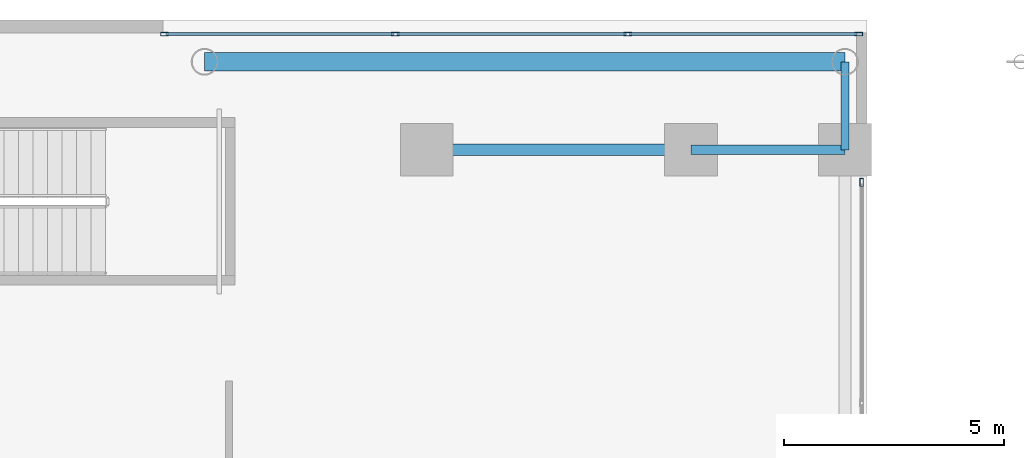
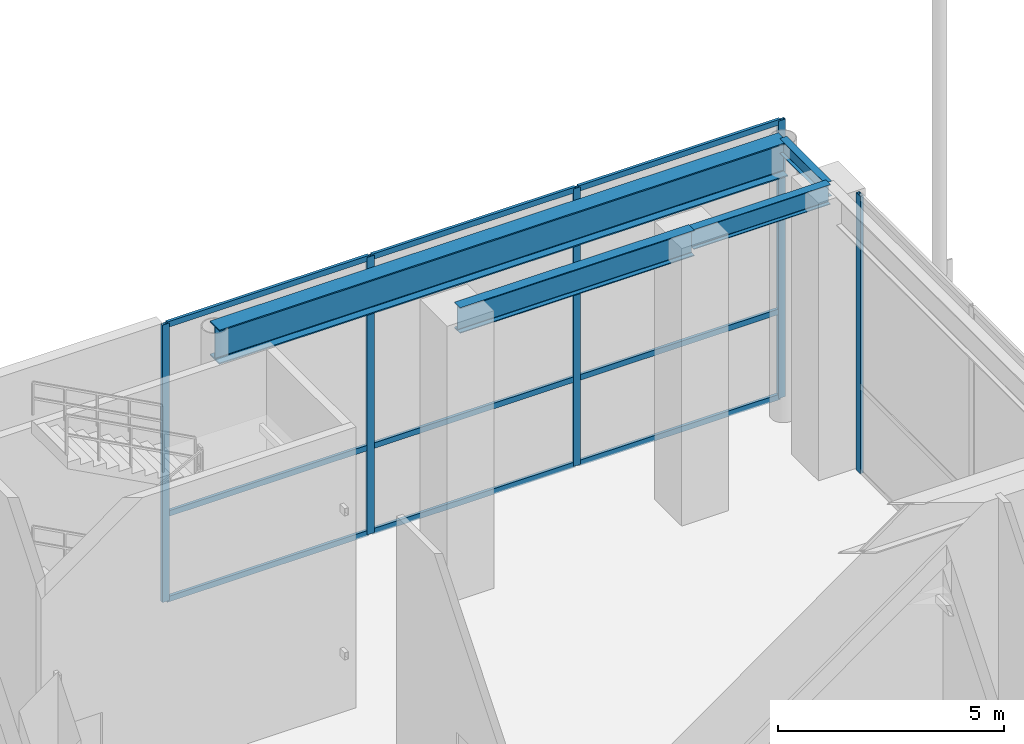
# One storey, part 13 of 29: 14 members, 4 beams, 2 elements without a shape of their own.
"""IFC4 building model written with IfcOpenShell, lengths in metres."""

import ifcopenshell
import ifcopenshell.guid

model = None  # the IFC model being written
_history = None  # IfcOwnerHistory: only IFC2X3 demands one
_inside = {}  # id of a spatial element -> (the spatial element, [elements in it])
_under = {}  # id of a project, library or spatial element -> (it, [spatial elements below it])
_declared = {}  # id of a project -> (the project, [libraries it declares])
_typed = {}  # id of a type object -> (the type object, [elements of that type])
_made_of = {}  # id of a material, layer set ... -> (it, [elements and type objects made of it])


def new_model(schema):
    """Start an empty IFC model of exactly this schema.

    Asked for "IFC4X3", IfcOpenShell would pick the latest addendum, in which some entities
    have other attributes; the version numbers below select the first issue.
    IFC2X3 requires an IfcOwnerHistory on every rooted entity: one is made here for all.
    """
    global model, _history
    if schema == "IFC4X3":
        model = ifcopenshell.file(schema_version=(4, 3, 0, 0))
    else:
        model = ifcopenshell.file(schema=schema)
    _inside.clear()
    _under.clear()
    _declared.clear()
    _typed.clear()
    _made_of.clear()
    _history = None
    if model.schema == "IFC2X3":
        org = make("IfcOrganization", Name="unknown")
        user = make(
            "IfcPersonAndOrganization",
            ThePerson=make("IfcPerson", FamilyName="unknown"),
            TheOrganization=org,
        )
        app = make(
            "IfcApplication",
            ApplicationDeveloper=org,
            Version="unknown",
            ApplicationFullName="unknown",
            ApplicationIdentifier="unknown",
        )
        _history = make(
            "IfcOwnerHistory",
            OwningUser=user,
            OwningApplication=app,
            ChangeAction="ADDED",
            CreationDate=0,
        )
    return model


def make(cls, **values):
    """One entity of the class cls with the attributes given. An attribute that is None is left unset."""
    return model.create_entity(
        cls, **{name: value for name, value in values.items() if value is not None}
    )


def rooted(cls, **values):
    """An entity with a GlobalId (a new one), such as an element, a storey or a relation."""
    return make(cls, GlobalId=ifcopenshell.guid.new(), OwnerHistory=_history, **values)


def si_unit(unit_type, name, prefix=None):
    """IfcSIUnit, for example si_unit("LENGTHUNIT", "METRE", prefix="MILLI")."""
    return make("IfcSIUnit", UnitType=unit_type, Prefix=prefix, Name=name)


def assignment(units):
    """IfcUnitAssignment: the units of a project."""
    return None if units is None else make("IfcUnitAssignment", Units=units)


def point(xyz):
    """IfcCartesianPoint."""
    return None if xyz is None else make("IfcCartesianPoint", Coordinates=xyz)


def direction(xyz):
    """IfcDirection."""
    return None if xyz is None else make("IfcDirection", DirectionRatios=xyz)


def frame(location, z_axis=None, x_axis=None):
    """IfcAxis2Placement3D, a coordinate frame: its origin and axes. An axis left out is left unset."""
    return make(
        "IfcAxis2Placement3D",
        Location=point(location),
        Axis=direction(z_axis),
        RefDirection=direction(x_axis),
    )


def frame_2d(location, x_axis=None):
    """IfcAxis2Placement2D, a coordinate frame in the plane: its origin and x axis."""
    return make(
        "IfcAxis2Placement2D", Location=point(location), RefDirection=direction(x_axis)
    )


def origin():
    """The frame at (0, 0, 0) with its axes left unset."""
    return frame((0.0, 0.0, 0.0))


def origin_2d():
    """The frame at (0, 0) in the plane with its x axis left unset."""
    return frame_2d((0.0, 0.0))


def place(relative_to, where):
    """IfcLocalPlacement: puts the frame where relative to a parent placement (None: the world)."""
    return make(
        "IfcLocalPlacement", PlacementRelTo=relative_to, RelativePlacement=where
    )


def context(
    kind, dimensions, precision=None, world=None, true_north=None, identifier=None
):
    """IfcGeometricRepresentationContext, for example the 3D "Model" context."""
    return make(
        "IfcGeometricRepresentationContext",
        ContextIdentifier=identifier,
        ContextType=kind,
        CoordinateSpaceDimension=dimensions,
        Precision=precision,
        WorldCoordinateSystem=world,
        TrueNorth=true_north,
    )


def subcontext(parent, identifier, kind, view, scale=None):
    """IfcGeometricRepresentationSubContext, for example "Body" below "Model"."""
    return make(
        "IfcGeometricRepresentationSubContext",
        ContextIdentifier=identifier,
        ContextType=kind,
        ParentContext=parent,
        TargetScale=scale,
        TargetView=view,
    )


def project(units=None, contexts=None):
    """IfcProject with its units and contexts."""
    return rooted(
        "IfcProject",
        Name="project",
        RepresentationContexts=contexts,
        UnitsInContext=assignment(units),
    )


def spatial(cls, under=None, at=None, **own):
    """A site, building, storey or space (cls), placed at a placement, below another one or the project."""
    s = rooted(cls, ObjectPlacement=at, **own)
    if under is not None:
        _under.setdefault(under.id(), (under, []))[1].append(s)
    return s


def profile(cls, at=None, kind="AREA", **sizes):
    """A parametric profile (cls). Its sizes go by their IFC names, for example OverallWidth=200.0."""
    return make(cls, ProfileType=kind, Position=at, **sizes)


def hollow_rectangle(**sizes):
    """IfcRectangleHollowProfileDef."""
    return profile("IfcRectangleHollowProfileDef", **sizes)


def i_section(**sizes):
    """IfcIShapeProfileDef."""
    return profile("IfcIShapeProfileDef", **sizes)


def extrude(swept, where, along, depth):
    """IfcExtrudedAreaSolid: the profile swept, set in the frame where, extruded along a direction by depth."""
    return make(
        "IfcExtrudedAreaSolid",
        SweptArea=swept,
        Position=where,
        ExtrudedDirection=direction(along),
        Depth=depth,
    )


def shape(context_of_items, identifier, shape_type, items):
    """IfcShapeRepresentation: the items that make up one representation, for example the "Body"."""
    return make(
        "IfcShapeRepresentation",
        ContextOfItems=context_of_items,
        RepresentationIdentifier=identifier,
        RepresentationType=shape_type,
        Items=items,
    )


def source(mapping_origin, context_of_items, identifier, shape_type, items):
    """IfcRepresentationMap: a shape defined once, which mapped items show again and again."""
    return make(
        "IfcRepresentationMap",
        MappingOrigin=mapping_origin,
        MappedRepresentation=shape(context_of_items, identifier, shape_type, items),
    )


def transform(
    local_origin,
    x_axis=None,
    y_axis=None,
    z_axis=None,
    scale=None,
    scale2=None,
    scale3=None,
    uniform=True,
):
    """IfcCartesianTransformationOperator3D, or its non-uniform kind. x_axis, y_axis, z_axis: its Axis1, 2, 3."""
    if uniform:
        return make(
            "IfcCartesianTransformationOperator3D",
            Axis1=direction(x_axis),
            Axis2=direction(y_axis),
            LocalOrigin=point(local_origin),
            Scale=scale,
            Axis3=direction(z_axis),
        )
    return make(
        "IfcCartesianTransformationOperator3DnonUniform",
        Axis1=direction(x_axis),
        Axis2=direction(y_axis),
        LocalOrigin=point(local_origin),
        Scale=scale,
        Axis3=direction(z_axis),
        Scale2=scale2,
        Scale3=scale3,
    )


def mapped(mapping_source, mapping_target):
    """IfcMappedItem: shows the shape of a source again, moved by a transform."""
    return make(
        "IfcMappedItem", MappingSource=mapping_source, MappingTarget=mapping_target
    )


def material(Name=None, Category=None):
    """IfcMaterial."""
    return make("IfcMaterial", Name=Name, Category=Category)


def layer(
    of_material, thickness, ventilated=None, Name=None, Category=None, Priority=None
):
    """IfcMaterialLayer: one layer of a wall or slab, of a material (None: an air gap)."""
    return make(
        "IfcMaterialLayer",
        Material=of_material,
        LayerThickness=thickness,
        IsVentilated=ventilated,
        Name=Name,
        Category=Category,
        Priority=Priority,
    )


def layer_set(layers, Name=None):
    """IfcMaterialLayerSet."""
    return make("IfcMaterialLayerSet", MaterialLayers=layers, LayerSetName=Name)


def material_profile(
    of_material, cross_section, Name=None, Category=None, Priority=None
):
    """IfcMaterialProfile: a cross section and its material."""
    return make(
        "IfcMaterialProfile",
        Name=Name,
        Material=of_material,
        Profile=cross_section,
        Priority=Priority,
        Category=Category,
    )


def profile_set(profiles, Name=None, composite=None):
    """IfcMaterialProfileSet."""
    return make(
        "IfcMaterialProfileSet",
        Name=Name,
        MaterialProfiles=profiles,
        CompositeProfile=composite,
    )


def made_of(thing, what):
    """Note that an element or type object is made of a material, layer set ...; save() writes the relation."""
    if what is not None:
        _made_of.setdefault(what.id(), (what, []))[1].append(thing)
    return thing


def type_object(cls, material=None, **own):
    """A type object (cls), such as IfcWallType, which elements share."""
    return made_of(rooted(cls, **own), material)


def element(
    cls,
    number,
    at=None,
    inside=None,
    cuts=None,
    type_object=None,
    material=None,
    context=None,
    identifier="Body",
    shape_type=None,
    held_by="IfcProductDefinitionShape",
    body=None,
    shapes=None,
    **own,
):
    """One element of the class cls, such as IfcWall. Its Tag is "e" and its number.

    at: its placement. inside: the storey or other place that contains it. cuts: it is an
    opening in that element (IfcRelVoidsElement). A single representation is given by context,
    identifier, shape_type and body (its items); several are given by shapes. held_by: the class
    of the entity that holds the representations. save() writes the other relations.
    """
    e = rooted(cls, Tag="e%d" % number, ObjectPlacement=at, **own)
    if body is not None:
        shapes = [shape(context, identifier, shape_type, body)]
    if shapes is not None:
        e.Representation = make(held_by, Representations=shapes)
    if inside is not None:
        _inside.setdefault(inside.id(), (inside, []))[1].append(e)
    if cuts is not None:
        rooted(
            "IfcRelVoidsElement", RelatingBuildingElement=cuts, RelatedOpeningElement=e
        )
    if type_object is not None:
        _typed.setdefault(type_object.id(), (type_object, []))[1].append(e)
    return made_of(e, material)


def aggregate(whole, parts):
    """IfcRelAggregates: a whole, such as a stair, and the parts it consists of."""
    return rooted("IfcRelAggregates", RelatingObject=whole, RelatedObjects=parts)


def save(model, path):
    """Write the relations noted so far, then the file.

    IfcRelAggregates (storeys below a building ...), IfcRelContainedInSpatialStructure (elements
    in a storey), IfcRelDefinesByType, IfcRelAssociatesMaterial and IfcRelDeclares: one each for
    every whole, place, type object, material and project.
    """
    for whole, parts in _under.values():
        aggregate(whole, parts)
    for where, things in _inside.values():
        rooted(
            "IfcRelContainedInSpatialStructure",
            RelatedElements=things,
            RelatingStructure=where,
        )
    for kind, things in _typed.values():
        rooted("IfcRelDefinesByType", RelatedObjects=things, RelatingType=kind)
    for what, things in _made_of.values():
        rooted("IfcRelAssociatesMaterial", RelatedObjects=things, RelatingMaterial=what)
    for by, libraries in _declared.values():
        rooted("IfcRelDeclares", RelatingContext=by, RelatedDefinitions=libraries)
    model.write(path)


model = new_model("IFC4")

# Units and contexts
model_context = context("Model", 3, precision=1e-05, world=origin(), true_north=direction((0.0, 1.0)))
body_context = subcontext(model_context, "Body", "Model", "MODEL_VIEW")
ifc_project = project(units=[si_unit("LENGTHUNIT", "METRE"), si_unit("AREAUNIT", "SQUARE_METRE"), si_unit("VOLUMEUNIT", "CUBIC_METRE"), si_unit("PLANEANGLEUNIT", "RADIAN"), si_unit("MASSUNIT", "GRAM", prefix="KILO")], contexts=[model_context])

# Site, building, storey
site_placement = place(None, origin())
site = spatial("IfcSite", under=ifc_project, at=site_placement, CompositionType="ELEMENT")
building_placement = place(site_placement, origin())
building = spatial("IfcBuilding", under=site, at=building_placement, Name="Ocotamira Hotel", CompositionType="ELEMENT")
storey_placement = place(building_placement, frame((0.0, 0.0, 11.39990234375)))
storey = spatial("IfcBuildingStorey", under=building, at=storey_placement, Name="L03", CompositionType="ELEMENT", Elevation=11.39990234375)

# Beams
ifc_material_1 = material(Name="Steel ASTM A992 Grade 50", Category="steel")
ifc_material_profile_1 = material_profile(ifc_material_1, i_section(OverallWidth=0.41796875, OverallDepth=0.927001953125, WebThickness=0.019287109375, FlangeThickness=0.031982421875, FilletRadius=0.02392578125, at=origin_2d()), Name="W36X231")
ifc_profile_set_1 = profile_set([ifc_material_profile_1], Name="Steel ASTM A992 Grade 50")
beam_type_1 = type_object("IfcBeamType", Name="BM-GIRD-W36X231", PredefinedType="BEAM", material=ifc_profile_set_1)
shared_shape_1 = source(origin(), body_context, "Body", "SweptSolid", [
    extrude(i_section(OverallWidth=0.41796875, OverallDepth=0.927001953125, WebThickness=0.019287109375, FlangeThickness=0.031982421875, FilletRadius=0.02392578125, at=origin_2d()), origin(), (0.0, 0.0, 1.0), 14.550048828125),
])
beam_1_placement = place(storey_placement, frame((8.949951171875, 51.050048828125, 7.046630859375), z_axis=(1.0, 0.0, 0.0), x_axis=(0.0, 1.0, 0.0)))
element("IfcBeam", 1, at=beam_1_placement, inside=storey, type_object=beam_type_1, Name="L03 Girder Y51.05 X8.95-23.5", PredefinedType="BEAM", context=body_context, shape_type="MappedRepresentation", body=[
    mapped(shared_shape_1, transform((0.0, 0.0, 0.0), scale=1.0)),
])
ifc_material_profile_2 = material_profile(ifc_material_1, i_section(OverallWidth=0.256103515625, OverallDepth=0.693115234375, WebThickness=0.014404296875, FlangeThickness=0.023681640625, FilletRadius=0.01611328125, at=origin_2d()), Name="W27X114")
ifc_profile_set_2 = profile_set([ifc_material_profile_2], Name="Steel ASTM A992 Grade 50")
beam_type_2 = type_object("IfcBeamType", Name="BM-PRIM-W27X114", PredefinedType="BEAM", material=ifc_profile_set_2)
shared_shape_2 = source(origin(), body_context, "Body", "SweptSolid", [
    extrude(i_section(OverallWidth=0.256103515625, OverallDepth=0.693115234375, WebThickness=0.014404296875, FlangeThickness=0.023681640625, FilletRadius=0.01611328125, at=origin_2d()), origin(), (0.0, 0.0, 1.0), 6.0),
])
beam_2_placement = place(storey_placement, frame((14.0, 49.050048828125, 7.16357421875), z_axis=(1.0, 0.0, 0.0), x_axis=(0.0, 1.0, 0.0)))
element("IfcBeam", 2, at=beam_2_placement, inside=storey, type_object=beam_type_2, Name="L03 Girder Y49.05 X14-20", PredefinedType="BEAM", context=body_context, shape_type="MappedRepresentation", body=[
    mapped(shared_shape_2, transform((0.0, 0.0, 0.0), scale=1.0)),
])
ifc_material_profile_3 = material_profile(ifc_material_1, i_section(OverallWidth=0.2099609375, OverallDepth=0.537109375, WebThickness=0.010986328125, FlangeThickness=0.017333984375, FilletRadius=0.012939453125, at=origin_2d()), Name="W21X68")
ifc_profile_set_3 = profile_set([ifc_material_profile_3], Name="Steel ASTM A992 Grade 50")
beam_type_3 = type_object("IfcBeamType", Name="BM-SEC-W21X68", PredefinedType="JOIST", material=ifc_profile_set_3)
shared_shape_3 = source(origin(), body_context, "Body", "SweptSolid", [
    extrude(i_section(OverallWidth=0.2099609375, OverallDepth=0.537109375, WebThickness=0.010986328125, FlangeThickness=0.017333984375, FilletRadius=0.012939453125, at=origin_2d()), origin(), (0.0, 0.0, 1.0), 3.5),
])
beam_3_placement = place(storey_placement, frame((20.0, 49.050048828125, 7.24169921875), z_axis=(1.0, 0.0, 0.0), x_axis=(0.0, 1.0, 0.0)))
element("IfcBeam", 3, at=beam_3_placement, inside=storey, type_object=beam_type_3, Name="L03 Girder Y49.05 X20-23.5", PredefinedType="JOIST", context=body_context, shape_type="MappedRepresentation", body=[
    mapped(shared_shape_3, transform((0.0, 0.0, 0.0), scale=1.0)),
])
ifc_material_profile_4 = material_profile(ifc_material_1, i_section(OverallWidth=0.177978515625, OverallDepth=0.403076171875, WebThickness=0.007568359375, FlangeThickness=0.010986328125, FilletRadius=0.010009765625, at=origin_2d()), Name="W16X36")
ifc_profile_set_4 = profile_set([ifc_material_profile_4], Name="Steel ASTM A992 Grade 50")
beam_type_4 = type_object("IfcBeamType", Name="BM-SEC-W16X36", PredefinedType="JOIST", material=ifc_profile_set_4)
shared_shape_4 = source(origin(), body_context, "Body", "SweptSolid", [
    extrude(i_section(OverallWidth=0.177978515625, OverallDepth=0.403076171875, WebThickness=0.007568359375, FlangeThickness=0.010986328125, FilletRadius=0.010009765625, at=origin_2d()), origin(), (0.0, 0.0, 1.0), 2.0),
])
beam_4_placement = place(storey_placement, frame((23.5, 49.050048828125, 7.30859375), z_axis=(0.0, 1.0, 0.0), x_axis=(-1.0, 0.0, 0.0)))
element("IfcBeam", 4, at=beam_4_placement, inside=storey, type_object=beam_type_4, Name="L03 Beam X23.5 Y49.05-51.05", PredefinedType="JOIST", context=body_context, shape_type="MappedRepresentation", body=[
    mapped(shared_shape_4, transform((0.0, 0.0, 0.0), scale=1.0)),
])

# Curtain wall, members
ifc_material_2 = material(Name="Anodised pale-metal aluminium and solar glass", Category="aluminium")
ifc_layer = layer(ifc_material_2, 0.219970703125)
ifc_layer_set = layer_set([ifc_layer], Name="Anodised pale-metal aluminium and solar glass")
curtain_wall_type = type_object("IfcCurtainWallType", Name="CW-SYS1-POD", PredefinedType="NOTDEFINED", material=ifc_layer_set)
curtain_wall_1_placement = place(storey_placement, origin())
curtain_wall_1 = element("IfcCurtainWall", 5, at=curtain_wall_1_placement, inside=storey, type_object=curtain_wall_type, Name="L03 Curtain Wall CW-1 CW-L03-NW", PredefinedType="NOTDEFINED")
ifc_material_3 = material(Name="Anodised pale-metal aluminium 6063-T6", Category="aluminium")
ifc_material_profile_5 = material_profile(ifc_material_3, hollow_rectangle(XDim=0.074951171875, YDim=0.14990234375, WallThickness=0.006103515625, at=origin_2d()), Name="HSS150X75X6")
ifc_profile_set_5 = profile_set([ifc_material_profile_5], Name="Anodised pale-metal aluminium 6063-T6")
member_type_1 = type_object("IfcMemberType", Name="CWT-150X75", PredefinedType="USERDEFINED", material=ifc_profile_set_5)
shared_shape_5 = source(origin(), body_context, "Body", "SweptSolid", [
    extrude(hollow_rectangle(XDim=0.074951171875, YDim=0.14990234375, WallThickness=0.006103515625, at=origin_2d()), origin(), (0.0, 0.0, 1.0), 5.163330078125),
])
member_1_placement = place(storey_placement, frame((8.080078125, 51.679931640625, 0.03759765625), z_axis=(1.0, 0.0, 0.0), x_axis=(0.0, 1.0, 0.0)))
member_1 = element("IfcMember", 6, at=member_1_placement, type_object=member_type_1, Name="CW-1 transom 1.1", ObjectType="TRANSOM", PredefinedType="USERDEFINED", context=body_context, shape_type="MappedRepresentation", body=[
    mapped(shared_shape_5, transform((0.0, 0.0, 0.0), scale=1.0)),
])
member_2_placement = place(storey_placement, frame((8.080078125, 51.679931640625, 2.35009765625), z_axis=(1.0, 0.0, 0.0), x_axis=(0.0, 1.0, 0.0)))
member_2 = element("IfcMember", 7, at=member_2_placement, type_object=member_type_1, Name="CW-1 transom 1.2", ObjectType="TRANSOM", PredefinedType="USERDEFINED", context=body_context, shape_type="MappedRepresentation", body=[
    mapped(shared_shape_5, transform((0.0, 0.0, 0.0), scale=1.0)),
])
member_3_placement = place(storey_placement, frame((8.080078125, 51.679931640625, 7.47265625), z_axis=(1.0, 0.0, 0.0), x_axis=(0.0, 1.0, 0.0)))
member_3 = element("IfcMember", 8, at=member_3_placement, type_object=member_type_1, Name="CW-1 transom 1.3", ObjectType="TRANSOM", PredefinedType="USERDEFINED", context=body_context, shape_type="MappedRepresentation", body=[
    mapped(shared_shape_5, transform((0.0, 0.0, 0.0), scale=1.0)),
])
member_4_placement = place(storey_placement, frame((18.606689453125, 51.679931640625, 0.03759765625), z_axis=(1.0, 0.0, 0.0), x_axis=(0.0, 1.0, 0.0)))
member_4 = element("IfcMember", 9, at=member_4_placement, type_object=member_type_1, Name="CW-1 transom 3.1", ObjectType="TRANSOM", PredefinedType="USERDEFINED", context=body_context, shape_type="MappedRepresentation", body=[
    mapped(shared_shape_5, transform((0.0, 0.0, 0.0), scale=1.0)),
])
member_5_placement = place(storey_placement, frame((18.606689453125, 51.679931640625, 2.35009765625), z_axis=(1.0, 0.0, 0.0), x_axis=(0.0, 1.0, 0.0)))
member_5 = element("IfcMember", 10, at=member_5_placement, type_object=member_type_1, Name="CW-1 transom 3.2", ObjectType="TRANSOM", PredefinedType="USERDEFINED", context=body_context, shape_type="MappedRepresentation", body=[
    mapped(shared_shape_5, transform((0.0, 0.0, 0.0), scale=1.0)),
])
member_6_placement = place(storey_placement, frame((18.606689453125, 51.679931640625, 7.47265625), z_axis=(1.0, 0.0, 0.0), x_axis=(0.0, 1.0, 0.0)))
member_6 = element("IfcMember", 11, at=member_6_placement, type_object=member_type_1, Name="CW-1 transom 3.3", ObjectType="TRANSOM", PredefinedType="USERDEFINED", context=body_context, shape_type="MappedRepresentation", body=[
    mapped(shared_shape_5, transform((0.0, 0.0, 0.0), scale=1.0)),
])
shared_shape_6 = source(origin(), body_context, "Body", "SweptSolid", [
    extrude(hollow_rectangle(XDim=0.074951171875, YDim=0.14990234375, WallThickness=0.006103515625, at=origin_2d()), origin(), (0.0, 0.0, 1.0), 5.203369140625),
])
member_7_placement = place(storey_placement, frame((13.3232421875, 51.679931640625, 0.03759765625), z_axis=(1.0, 0.0, 0.0), x_axis=(0.0, 1.0, 0.0)))
member_7 = element("IfcMember", 12, at=member_7_placement, type_object=member_type_1, Name="CW-1 transom 2.1", ObjectType="TRANSOM", PredefinedType="USERDEFINED", context=body_context, shape_type="MappedRepresentation", body=[
    mapped(shared_shape_6, transform((0.0, 0.0, 0.0), scale=1.0)),
])
member_8_placement = place(storey_placement, frame((13.3232421875, 51.679931640625, 2.35009765625), z_axis=(1.0, 0.0, 0.0), x_axis=(0.0, 1.0, 0.0)))
member_8 = element("IfcMember", 13, at=member_8_placement, type_object=member_type_1, Name="CW-1 transom 2.2", ObjectType="TRANSOM", PredefinedType="USERDEFINED", context=body_context, shape_type="MappedRepresentation", body=[
    mapped(shared_shape_6, transform((0.0, 0.0, 0.0), scale=1.0)),
])
member_9_placement = place(storey_placement, frame((13.3232421875, 51.679931640625, 7.47265625), z_axis=(1.0, 0.0, 0.0), x_axis=(0.0, 1.0, 0.0)))
member_9 = element("IfcMember", 14, at=member_9_placement, type_object=member_type_1, Name="CW-1 transom 2.3", ObjectType="TRANSOM", PredefinedType="USERDEFINED", context=body_context, shape_type="MappedRepresentation", body=[
    mapped(shared_shape_6, transform((0.0, 0.0, 0.0), scale=1.0)),
])
ifc_material_profile_6 = material_profile(ifc_material_3, hollow_rectangle(XDim=0.080078125, YDim=0.179931640625, WallThickness=0.006103515625, at=origin_2d()), Name="HSS180X80X6")
ifc_profile_set_6 = profile_set([ifc_material_profile_6], Name="Anodised pale-metal aluminium 6063-T6")
member_type_2 = type_object("IfcMemberType", Name="CWM-180X75", PredefinedType="MULLION", material=ifc_profile_set_6)
shared_shape_7 = source(origin(), body_context, "Body", "SweptSolid", [
    extrude(hollow_rectangle(XDim=0.080078125, YDim=0.179931640625, WallThickness=0.006103515625, at=origin_2d()), origin(), (0.0, 0.0, 1.0), 7.510009765625),
])
member_10_placement = place(storey_placement, frame((8.0400390625, 51.679931640625, 0.0), z_axis=(0.0, 0.0, 1.0), x_axis=(0.0, 1.0, 0.0)))
member_10 = element("IfcMember", 15, at=member_10_placement, type_object=member_type_2, Name="CW-1 mullion 1", PredefinedType="MULLION", context=body_context, shape_type="MappedRepresentation", body=[
    mapped(shared_shape_7, transform((0.0, 0.0, 0.0), scale=1.0)),
])
member_11_placement = place(storey_placement, frame((13.283447265625, 51.679931640625, 0.0), z_axis=(0.0, 0.0, 1.0), x_axis=(0.0, 1.0, 0.0)))
member_11 = element("IfcMember", 16, at=member_11_placement, type_object=member_type_2, Name="CW-1 mullion 2", PredefinedType="MULLION", context=body_context, shape_type="MappedRepresentation", body=[
    mapped(shared_shape_7, transform((0.0, 0.0, 0.0), scale=1.0)),
])
member_12_placement = place(storey_placement, frame((18.566650390625, 51.679931640625, 0.0), z_axis=(0.0, 0.0, 1.0), x_axis=(0.0, 1.0, 0.0)))
member_12 = element("IfcMember", 17, at=member_12_placement, type_object=member_type_2, Name="CW-1 mullion 3", PredefinedType="MULLION", context=body_context, shape_type="MappedRepresentation", body=[
    mapped(shared_shape_7, transform((0.0, 0.0, 0.0), scale=1.0)),
])
member_13_placement = place(storey_placement, frame((23.81005859375, 51.679931640625, 0.0), z_axis=(0.0, 0.0, 1.0), x_axis=(0.0, 1.0, 0.0)))
member_13 = element("IfcMember", 18, at=member_13_placement, type_object=member_type_2, Name="CW-1 mullion 4", PredefinedType="MULLION", context=body_context, shape_type="MappedRepresentation", body=[
    mapped(shared_shape_7, transform((0.0, 0.0, 0.0), scale=1.0)),
])
aggregate(curtain_wall_1, [member_10, member_11, member_12, member_13, member_1, member_2, member_3, member_7, member_8, member_9, member_4, member_5, member_6])

# Curtain wall, member
curtain_wall_2_placement = place(storey_placement, origin())
curtain_wall_2 = element("IfcCurtainWall", 19, at=curtain_wall_2_placement, inside=storey, type_object=curtain_wall_type, Name="L03 Curtain Wall CW-1 CW-L03-AW-N", PredefinedType="NOTDEFINED")
member_14_placement = place(storey_placement, frame((23.8798828125, 48.31005859375, 0.0), z_axis=(0.0, 0.0, 1.0), x_axis=(-1.0, 0.0, 0.0)))
member_14 = element("IfcMember", 20, at=member_14_placement, type_object=member_type_2, Name="CW-1 mullion 3", PredefinedType="MULLION", context=body_context, shape_type="MappedRepresentation", body=[
    mapped(shared_shape_7, transform((0.0, 0.0, 0.0), scale=1.0)),
])
aggregate(curtain_wall_2, [member_14])

save(model, "model.ifc")
